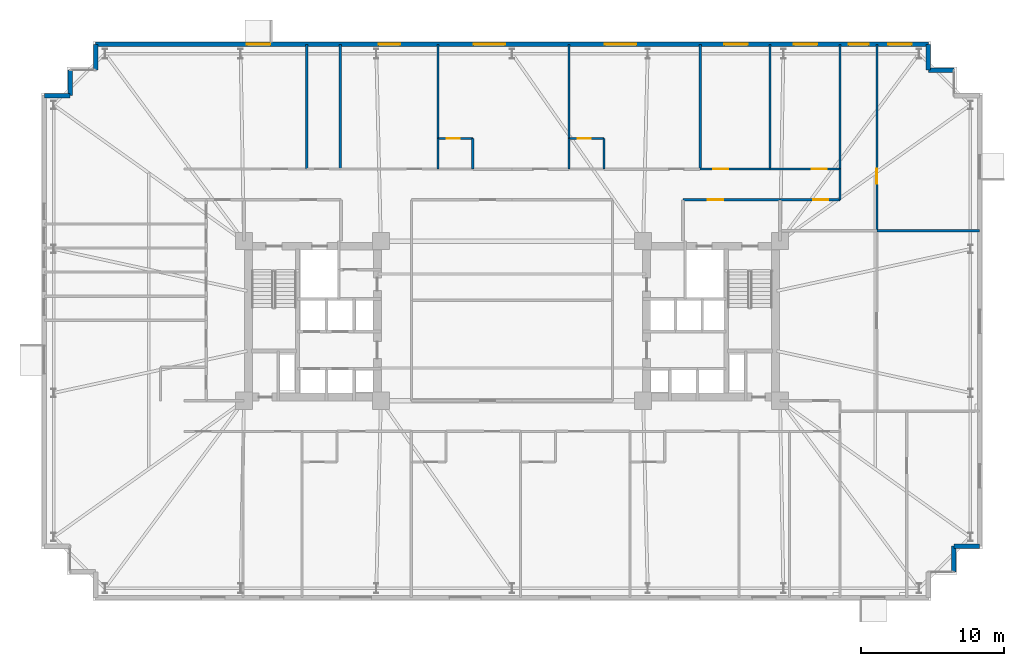
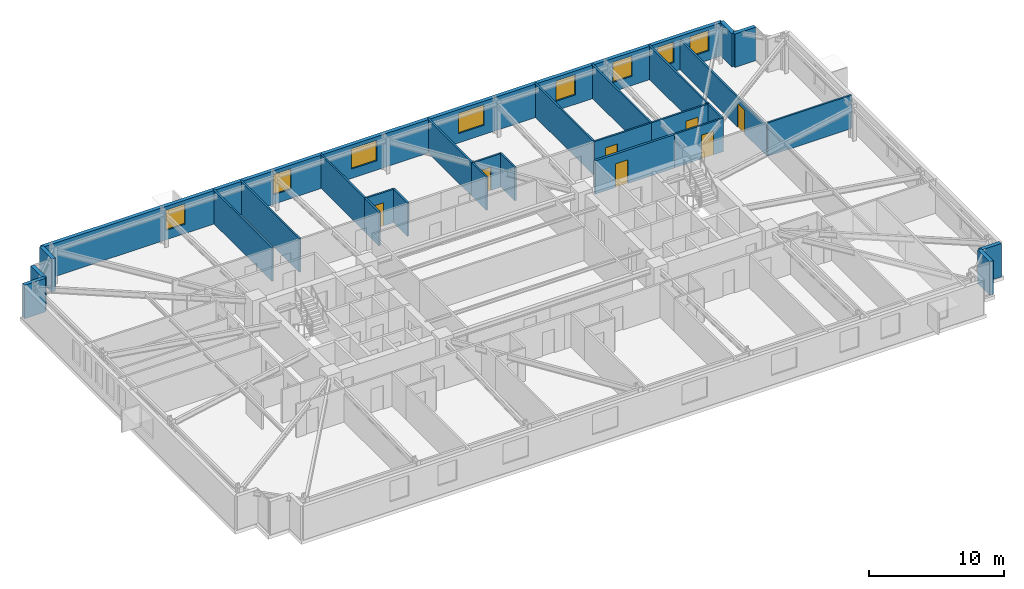
# One storey, part 18 of 21: 28 walls, 8 windows, 7 doors, 15 openings.
"""IFC4 building model written with IfcOpenShell, lengths in metres."""

from ifc_helpers import new_model, si_unit, direction, frame, frame_2d, origin, place, context, subcontext, project, spatial, rectangle, extrude, material, layer, layer_set, type_object, element, fill, save


model = new_model("IFC4")

# Units and contexts
model_context = context("Model", 3, precision=1e-05, world=origin(), true_north=direction((0.0, 1.0)))
body_context = subcontext(model_context, "Body", "Model", "MODEL_VIEW")
ifc_project = project(units=[si_unit("LENGTHUNIT", "METRE"), si_unit("AREAUNIT", "SQUARE_METRE"), si_unit("VOLUMEUNIT", "CUBIC_METRE"), si_unit("PLANEANGLEUNIT", "RADIAN"), si_unit("MASSUNIT", "GRAM", prefix="KILO")], contexts=[model_context])

# Site, building, storey
site_placement = place(None, origin())
site = spatial("IfcSite", under=ifc_project, at=site_placement, CompositionType="ELEMENT")
building_placement = place(site_placement, origin())
building = spatial("IfcBuilding", under=site, at=building_placement, Name="Qobustan Lattice House", CompositionType="ELEMENT")
storey_placement = place(building_placement, frame((0.0, 0.0, 40.39990234375)))
storey = spatial("IfcBuildingStorey", under=building, at=storey_placement, Name="L10", CompositionType="ELEMENT", Elevation=40.39990234375)

# Walls
ifc_material_1 = material(Name="Precast concrete C40/50", Category="concrete")
ifc_layer_1 = layer(ifc_material_1, 0.320068359375)
ifc_layer_set_1 = layer_set([ifc_layer_1], Name="Precast concrete C40/50")
wall_type_1 = type_object("IfcWallType", Name="WAL-EXT-STONE-320", PredefinedType="SOLIDWALL", material=ifc_layer_set_1)
for number, where, z_axis, x_axis, name in (
    (1, (-32.800048828125, 15.800048828125, 0.0), (0.0, 0.0, 1.0), (1.0, 0.0, 0.0), "L10 exterior limestone-clad wall 6"),
    (2, (-31.0, 15.800048828125, 0.0), (0.0, 0.0, 1.0), (0.0, 1.0, 0.0), "L10 exterior limestone-clad wall 7"),
):
    element("IfcWall", number, at=place(storey_placement, frame(where, z_axis=z_axis, x_axis=x_axis)), inside=storey, type_object=wall_type_1, Name=name, PredefinedType="SOLIDWALL", context=body_context, shape_type="SweptSolid", body=[
        extrude(rectangle(XDim=1.800048828125, YDim=0.320068359375, at=frame_2d((0.89990234375, 0.0))), origin(), (0.0, 0.0, 1.0), 3.03515625),
    ])
wall_1_placement = place(storey_placement, frame((-29.199951171875, 17.60009765625, 0.0), z_axis=(0.0, 0.0, 1.0), x_axis=(0.0, 1.0, 0.0)))
element("IfcWall", 3, at=wall_1_placement, inside=storey, type_object=wall_type_1, Name="L10 exterior limestone-clad wall 9", PredefinedType="SOLIDWALL", context=body_context, shape_type="SweptSolid", body=[
    extrude(rectangle(XDim=1.7998046875, YDim=0.320068359375, at=frame_2d((0.89990234375, 0.0))), origin(), (0.0, 0.0, 1.0), 3.03515625),
])

# Wall, openings, windows
wall_2_placement = place(storey_placement, frame((-29.199951171875, 19.39990234375, 0.0), z_axis=(0.0, 0.0, 1.0), x_axis=(1.0, 0.0, 0.0)))
wall_2 = element("IfcWall", 4, at=wall_2_placement, inside=storey, type_object=wall_type_1, Name="L10 exterior limestone-clad wall 10", PredefinedType="SOLIDWALL", context=body_context, shape_type="SweptSolid", body=[
    extrude(rectangle(XDim=58.39990234375, YDim=0.320068359375, at=frame_2d((29.199951171875, 0.0))), origin(), (0.0, 0.0, 1.0), 3.03515625),
])
opening_1_placement = place(wall_2_placement, frame((10.596435546875, 0.0, 0.85009765625)))
opening_1 = element("IfcOpeningElement", 5, at=opening_1_placement, cuts=wall_2, Name="Opening WN-09", PredefinedType="OPENING", context=body_context, shape_type="SweptSolid", body=[
    extrude(rectangle(XDim=1.64990234375, YDim=1.85009765625, at=frame_2d((0.824951171875, 0.925048828125))), frame((0.0, 0.169921875, 0.0), z_axis=(0.0, -1.0, 0.0), x_axis=(1.0, 0.0, 0.0)), (0.0, 0.0, 1.0), 0.340087890625),
])
opening_2_placement = place(wall_2_placement, frame((19.85009765625, 0.0, 0.85009765625)))
opening_2 = element("IfcOpeningElement", 6, at=opening_2_placement, cuts=wall_2, Name="Opening WN-01", PredefinedType="OPENING", context=body_context, shape_type="SweptSolid", body=[
    extrude(rectangle(XDim=1.5, YDim=1.85009765625, at=frame_2d((0.75, 0.925048828125))), frame((0.0, 0.169921875, 0.0), z_axis=(0.0, -1.0, 0.0), x_axis=(1.0, 0.0, 0.0)), (0.0, 0.0, 1.0), 0.340087890625),
])
opening_3_placement = place(wall_2_placement, frame((26.51611328125, 0.0, 0.85009765625)))
opening_3 = element("IfcOpeningElement", 7, at=opening_3_placement, cuts=wall_2, Name="Opening WN-03", PredefinedType="OPENING", context=body_context, shape_type="SweptSolid", body=[
    extrude(rectangle(XDim=2.199951171875, YDim=1.85009765625, at=frame_2d((1.10009765625, 0.925048828125))), frame((0.0, 0.169921875, 0.0), z_axis=(0.0, -1.0, 0.0), x_axis=(1.0, 0.0, 0.0)), (0.0, 0.0, 1.0), 0.340087890625),
])
opening_4_placement = place(wall_2_placement, frame((35.716064453125, 0.0, 0.85009765625)))
opening_4 = element("IfcOpeningElement", 8, at=opening_4_placement, cuts=wall_2, Name="Opening WN-03", PredefinedType="OPENING", context=body_context, shape_type="SweptSolid", body=[
    extrude(rectangle(XDim=2.199951171875, YDim=1.85009765625, at=frame_2d((1.10009765625, 0.925048828125))), frame((0.0, 0.169921875, 0.0), z_axis=(0.0, -1.0, 0.0), x_axis=(1.0, 0.0, 0.0)), (0.0, 0.0, 1.0), 0.340087890625),
])
opening_5_placement = place(wall_2_placement, frame((44.094970703125, 0.0, 0.85009765625)))
opening_5 = element("IfcOpeningElement", 9, at=opening_5_placement, cuts=wall_2, Name="Opening WN-09", PredefinedType="OPENING", context=body_context, shape_type="SweptSolid", body=[
    extrude(rectangle(XDim=1.64990234375, YDim=1.85009765625, at=frame_2d((0.824951171875, 0.925048828125))), frame((0.0, 0.169921875, 0.0), z_axis=(0.0, -1.0, 0.0), x_axis=(1.0, 0.0, 0.0)), (0.0, 0.0, 1.0), 0.340087890625),
])
opening_6_placement = place(wall_2_placement, frame((48.97509765625, 0.0, 0.85009765625)))
opening_6 = element("IfcOpeningElement", 10, at=opening_6_placement, cuts=wall_2, Name="Opening WN-09", PredefinedType="OPENING", context=body_context, shape_type="SweptSolid", body=[
    extrude(rectangle(XDim=1.64990234375, YDim=1.85009765625, at=frame_2d((0.824951171875, 0.925048828125))), frame((0.0, 0.169921875, 0.0), z_axis=(0.0, -1.0, 0.0), x_axis=(1.0, 0.0, 0.0)), (0.0, 0.0, 1.0), 0.340087890625),
])
opening_7_placement = place(wall_2_placement, frame((52.820068359375, 0.0, 0.85009765625)))
opening_7 = element("IfcOpeningElement", 11, at=opening_7_placement, cuts=wall_2, Name="Opening WN-12", PredefinedType="OPENING", context=body_context, shape_type="SweptSolid", body=[
    extrude(rectangle(XDim=1.39990234375, YDim=1.85009765625, at=frame_2d((0.699951171875, 0.925048828125))), frame((0.0, 0.169921875, 0.0), z_axis=(0.0, -1.0, 0.0), x_axis=(1.0, 0.0, 0.0)), (0.0, 0.0, 1.0), 0.340087890625),
])
opening_8_placement = place(wall_2_placement, frame((55.574951171875, 0.0, 0.85009765625)))
opening_8 = element("IfcOpeningElement", 12, at=opening_8_placement, cuts=wall_2, Name="Opening WN-09", PredefinedType="OPENING", context=body_context, shape_type="SweptSolid", body=[
    extrude(rectangle(XDim=1.64990234375, YDim=1.85009765625, at=frame_2d((0.824951171875, 0.925048828125))), frame((0.0, 0.169921875, 0.0), z_axis=(0.0, -1.0, 0.0), x_axis=(1.0, 0.0, 0.0)), (0.0, 0.0, 1.0), 0.340087890625),
])
ifc_material_2 = material(Name="Double-glazed low-E aluminium window", Category="aluminium")
window_type_1 = type_object("IfcWindowType", Name="WIN-BED-1400x1850", PartitioningType="SINGLE_PANEL", PredefinedType="WINDOW", material=ifc_material_2)
window_1_placement = place(opening_7_placement, origin())
window_1 = element("IfcWindow", 13, at=window_1_placement, inside=storey, type_object=window_type_1, Name="L10 Focus study room E3A window", OverallHeight=1.85009765625, OverallWidth=1.39990234375, PartitioningType="SINGLE_PANEL", PredefinedType="WINDOW", context=body_context, shape_type="SweptSolid", body=[
    extrude(rectangle(XDim=1.39990234375, YDim=1.85009765625, at=frame_2d((0.699951171875, 0.925048828125))), frame((0.0, 0.030029296875, 0.0), z_axis=(0.0, -1.0, 0.0), x_axis=(1.0, 0.0, 0.0)), (0.0, 0.0, 1.0), 0.06005859375),
])
fill(opening_7, window_1)
ifc_material_3 = material(Name="Double-glazed low-E aluminium window", Category="aluminium")
window_type_2 = type_object("IfcWindowType", Name="WIN-BED-1500x1850", PartitioningType="SINGLE_PANEL", PredefinedType="WINDOW", material=ifc_material_3)
window_2_placement = place(opening_2_placement, origin())
window_2 = element("IfcWindow", 14, at=window_2_placement, inside=storey, type_object=window_type_2, Name="L10 Laundry utility room window", OverallHeight=1.85009765625, OverallWidth=1.5, PartitioningType="SINGLE_PANEL", PredefinedType="WINDOW", context=body_context, shape_type="SweptSolid", body=[
    extrude(rectangle(XDim=1.5, YDim=1.85009765625, at=frame_2d((0.75, 0.925048828125))), frame((0.0, 0.030029296875, 0.0), z_axis=(0.0, -1.0, 0.0), x_axis=(1.0, 0.0, 0.0)), (0.0, 0.0, 1.0), 0.06005859375),
])
fill(opening_2, window_2)
ifc_material_4 = material(Name="Double-glazed low-E aluminium window", Category="aluminium")
window_type_3 = type_object("IfcWindowType", Name="WIN-STU-1650x1850", PartitioningType="SINGLE_PANEL", PredefinedType="WINDOW", material=ifc_material_4)
window_3_placement = place(opening_1_placement, origin())
window_3 = element("IfcWindow", 15, at=window_3_placement, inside=storey, type_object=window_type_3, Name="L10 Focus study room N1 window", OverallHeight=1.85009765625, OverallWidth=1.64990234375, PartitioningType="SINGLE_PANEL", PredefinedType="WINDOW", context=body_context, shape_type="SweptSolid", body=[
    extrude(rectangle(XDim=1.64990234375, YDim=1.85009765625, at=frame_2d((0.824951171875, 0.925048828125))), frame((0.0, 0.030029296875, 0.0), z_axis=(0.0, -1.0, 0.0), x_axis=(1.0, 0.0, 0.0)), (0.0, 0.0, 1.0), 0.06005859375),
])
fill(opening_1, window_3)
window_4_placement = place(opening_5_placement, origin())
window_4 = element("IfcWindow", 16, at=window_4_placement, inside=storey, type_object=window_type_3, Name="L10 Focus study room N5A window", OverallHeight=1.85009765625, OverallWidth=1.64990234375, PartitioningType="SINGLE_PANEL", PredefinedType="WINDOW", context=body_context, shape_type="SweptSolid", body=[
    extrude(rectangle(XDim=1.64990234375, YDim=1.85009765625, at=frame_2d((0.824951171875, 0.925048828125))), frame((0.0, 0.030029296875, 0.0), z_axis=(0.0, -1.0, 0.0), x_axis=(1.0, 0.0, 0.0)), (0.0, 0.0, 1.0), 0.06005859375),
])
fill(opening_5, window_4)
window_5_placement = place(opening_6_placement, origin())
window_5 = element("IfcWindow", 17, at=window_5_placement, inside=storey, type_object=window_type_3, Name="L10 Focus study room N5B window", OverallHeight=1.85009765625, OverallWidth=1.64990234375, PartitioningType="SINGLE_PANEL", PredefinedType="WINDOW", context=body_context, shape_type="SweptSolid", body=[
    extrude(rectangle(XDim=1.64990234375, YDim=1.85009765625, at=frame_2d((0.824951171875, 0.925048828125))), frame((0.0, 0.030029296875, 0.0), z_axis=(0.0, -1.0, 0.0), x_axis=(1.0, 0.0, 0.0)), (0.0, 0.0, 1.0), 0.06005859375),
])
fill(opening_6, window_5)
window_6_placement = place(opening_8_placement, origin())
window_6 = element("IfcWindow", 18, at=window_6_placement, inside=storey, type_object=window_type_3, Name="L10 Focus study room E3B window", OverallHeight=1.85009765625, OverallWidth=1.64990234375, PartitioningType="SINGLE_PANEL", PredefinedType="WINDOW", context=body_context, shape_type="SweptSolid", body=[
    extrude(rectangle(XDim=1.64990234375, YDim=1.85009765625, at=frame_2d((0.824951171875, 0.925048828125))), frame((0.0, 0.030029296875, 0.0), z_axis=(0.0, -1.0, 0.0), x_axis=(1.0, 0.0, 0.0)), (0.0, 0.0, 1.0), 0.06005859375),
])
fill(opening_8, window_6)
ifc_material_5 = material(Name="Double-glazed low-E aluminium window", Category="aluminium")
window_type_4 = type_object("IfcWindowType", Name="WIN-WIDE-2200x1850", PartitioningType="SINGLE_PANEL", PredefinedType="WINDOW", material=ifc_material_5)
window_7_placement = place(opening_3_placement, origin())
window_7 = element("IfcWindow", 19, at=window_7_placement, inside=storey, type_object=window_type_4, Name="L10 Kitchenette and studio apartment L10-N3 window", OverallHeight=1.85009765625, OverallWidth=2.199951171875, PartitioningType="SINGLE_PANEL", PredefinedType="WINDOW", context=body_context, shape_type="SweptSolid", body=[
    extrude(rectangle(XDim=2.199951171875, YDim=1.85009765625, at=frame_2d((1.10009765625, 0.925048828125))), frame((0.0, 0.030029296875, 0.0), z_axis=(0.0, -1.0, 0.0), x_axis=(1.0, 0.0, 0.0)), (0.0, 0.0, 1.0), 0.06005859375),
])
fill(opening_3, window_7)
window_8_placement = place(opening_4_placement, origin())
window_8 = element("IfcWindow", 20, at=window_8_placement, inside=storey, type_object=window_type_4, Name="L10 Kitchenette and studio apartment L10-N4 window", OverallHeight=1.85009765625, OverallWidth=2.199951171875, PartitioningType="SINGLE_PANEL", PredefinedType="WINDOW", context=body_context, shape_type="SweptSolid", body=[
    extrude(rectangle(XDim=2.199951171875, YDim=1.85009765625, at=frame_2d((1.10009765625, 0.925048828125))), frame((0.0, 0.030029296875, 0.0), z_axis=(0.0, -1.0, 0.0), x_axis=(1.0, 0.0, 0.0)), (0.0, 0.0, 1.0), 0.06005859375),
])
fill(opening_4, window_8)

# Walls
wall_3_placement = place(storey_placement, frame((29.199951171875, 19.39990234375, 0.0), z_axis=(0.0, 0.0, 1.0), x_axis=(0.0, -1.0, 0.0)))
element("IfcWall", 21, at=wall_3_placement, inside=storey, type_object=wall_type_1, Name="L10 exterior limestone-clad wall 11", PredefinedType="SOLIDWALL", context=body_context, shape_type="SweptSolid", body=[
    extrude(rectangle(XDim=1.7998046875, YDim=0.320068359375, at=frame_2d((0.89990234375, 0.0))), origin(), (0.0, 0.0, 1.0), 3.03515625),
])
for number, where, z_axis, x_axis, name in (
    (22, (29.199951171875, 17.60009765625, 0.0), (0.0, 0.0, 1.0), (1.0, 0.0, 0.0), "L10 exterior limestone-clad wall 12"),
    (23, (32.800048828125, -15.800048828125, 0.0), (0.0, 0.0, 1.0), (-1.0, 0.0, 0.0), "L10 exterior limestone-clad wall 16"),
    (24, (31.0, -15.800048828125, 0.0), (0.0, 0.0, 1.0), (0.0, -1.0, 0.0), "L10 exterior limestone-clad wall 17"),
):
    element("IfcWall", number, at=place(storey_placement, frame(where, z_axis=z_axis, x_axis=x_axis)), inside=storey, type_object=wall_type_1, Name=name, PredefinedType="SOLIDWALL", context=body_context, shape_type="SweptSolid", body=[
        extrude(rectangle(XDim=1.800048828125, YDim=0.320068359375, at=frame_2d((0.89990234375, 0.0))), origin(), (0.0, 0.0, 1.0), 3.03515625),
    ])

# Wall, opening, door
ifc_material_6 = material(Name="Acoustic twin-stud gypsum partition", Category="gypsum")
ifc_layer_2 = layer(ifc_material_6, 0.14990234375)
ifc_layer_set_2 = layer_set([ifc_layer_2], Name="Acoustic twin-stud gypsum partition")
wall_type_2 = type_object("IfcWallType", Name="WAL-PART-150", PredefinedType="PARTITIONING", material=ifc_layer_set_2)
wall_4_placement = place(storey_placement, frame((23.0, 8.5, 0.0), z_axis=(0.0, 0.0, 1.0), x_axis=(-1.0, 0.0, 0.0)))
wall_4 = element("IfcWall", 25, at=wall_4_placement, inside=storey, type_object=wall_type_2, Name="L10 interior partition 46", PredefinedType="PARTITIONING", context=body_context, shape_type="SweptSolid", body=[
    extrude(rectangle(XDim=4.199951171875, YDim=0.14990234375, at=frame_2d((2.10009765625, 0.0))), origin(), (0.0, 0.0, 1.0), 3.03515625),
])
opening_9_placement = place(wall_4_placement, frame((0.82861328125, 0.0, 0.0)))
opening_9 = element("IfcOpeningElement", 26, at=opening_9_placement, cuts=wall_4, Name="Opening ID-02", PredefinedType="OPENING", context=body_context, shape_type="SweptSolid", body=[
    extrude(rectangle(XDim=1.050048828125, YDim=2.14990234375, at=frame_2d((0.52490234375, 1.074951171875))), frame((0.0, 0.0849609375, 0.0), z_axis=(0.0, -1.0, 0.0), x_axis=(1.0, 0.0, 0.0)), (0.0, 0.0, 1.0), 0.169921875),
])
ifc_material_7 = material(Name="Persian walnut timber and steel frame door", Category="steel")
door_type_1 = type_object("IfcDoorType", Name="DOR-STUDY-1050x2150", OperationType="NOTDEFINED", PredefinedType="DOOR", material=ifc_material_7)
door_1_placement = place(opening_9_placement, origin())
door_1 = element("IfcDoor", 27, at=door_1_placement, inside=storey, type_object=door_type_1, Name="L10 North-east floor corridor to Focus study room E3A door", OperationType="SINGLE_SWING_LEFT", OverallHeight=2.14990234375, OverallWidth=1.050048828125, PredefinedType="DOOR", context=body_context, shape_type="SweptSolid", body=[
    extrude(rectangle(XDim=1.050048828125, YDim=2.14990234375, at=frame_2d((0.52490234375, 1.074951171875))), frame((0.0, 0.02490234375, 0.0), z_axis=(0.0, -1.0, 0.0), x_axis=(1.0, 0.0, 0.0)), (0.0, 0.0, 1.0), 0.050048828125),
])
fill(opening_9, door_1)

# Wall
wall_5_placement = place(storey_placement, frame((23.0, 10.64990234375, 0.0), z_axis=(0.0, 0.0, 1.0), x_axis=(0.0, -1.0, 0.0)))
element("IfcWall", 28, at=wall_5_placement, inside=storey, type_object=wall_type_2, Name="L10 interior partition 47", PredefinedType="PARTITIONING", context=body_context, shape_type="SweptSolid", body=[
    extrude(rectangle(XDim=2.14990234375, YDim=0.14990234375, at=frame_2d((1.074951171875, 0.0))), origin(), (0.0, 0.0, 1.0), 3.03515625),
])

# Wall, opening, door
wall_6_placement = place(storey_placement, frame((13.199951171875, 10.64990234375, 0.0), z_axis=(0.0, 0.0, 1.0), x_axis=(1.0, 0.0, 0.0)))
wall_6 = element("IfcWall", 29, at=wall_6_placement, inside=storey, type_object=wall_type_2, Name="L10 interior partition 51", PredefinedType="PARTITIONING", context=body_context, shape_type="SweptSolid", body=[
    extrude(rectangle(XDim=4.900146484375, YDim=0.14990234375, at=frame_2d((2.4501953125, 0.0))), origin(), (0.0, 0.0, 1.0), 3.03515625),
])
opening_10_placement = place(wall_6_placement, frame((0.916259765625, 0.0, 0.0)))
opening_10 = element("IfcOpeningElement", 30, at=opening_10_placement, cuts=wall_6, Name="Opening ID-02", PredefinedType="OPENING", context=body_context, shape_type="SweptSolid", body=[
    extrude(rectangle(XDim=1.050048828125, YDim=2.14990234375, at=frame_2d((0.52490234375, 1.074951171875))), frame((0.0, 0.0849609375, 0.0), z_axis=(0.0, -1.0, 0.0), x_axis=(1.0, 0.0, 0.0)), (0.0, 0.0, 1.0), 0.169921875),
])
door_2_placement = place(opening_10_placement, origin())
door_2 = element("IfcDoor", 31, at=door_2_placement, inside=storey, type_object=door_type_1, Name="L10 North-east floor corridor to Focus study room N5A door", OperationType="SINGLE_SWING_RIGHT", OverallHeight=2.14990234375, OverallWidth=1.050048828125, PredefinedType="DOOR", context=body_context, shape_type="SweptSolid", body=[
    extrude(rectangle(XDim=1.050048828125, YDim=2.14990234375, at=frame_2d((0.52490234375, 1.074951171875))), frame((0.0, 0.02490234375, 0.0), z_axis=(0.0, -1.0, 0.0), x_axis=(1.0, 0.0, 0.0)), (0.0, 0.0, 1.0), 0.050048828125),
])
fill(opening_10, door_2)

wall_7_placement = place(storey_placement, frame((18.10009765625, 10.64990234375, 0.0), z_axis=(0.0, 0.0, 1.0), x_axis=(1.0, 0.0, 0.0)))
wall_7 = element("IfcWall", 32, at=wall_7_placement, inside=storey, type_object=wall_type_2, Name="L10 interior partition 52", PredefinedType="PARTITIONING", context=body_context, shape_type="SweptSolid", body=[
    extrude(rectangle(XDim=4.89990234375, YDim=0.14990234375, at=frame_2d((2.449951171875, 0.0))), origin(), (0.0, 0.0, 1.0), 3.03515625),
])
opening_11_placement = place(wall_7_placement, frame((2.93359375, 0.0, 0.0)))
opening_11 = element("IfcOpeningElement", 33, at=opening_11_placement, cuts=wall_7, Name="Opening ID-02", PredefinedType="OPENING", context=body_context, shape_type="SweptSolid", body=[
    extrude(rectangle(XDim=1.050048828125, YDim=2.14990234375, at=frame_2d((0.52490234375, 1.074951171875))), frame((0.0, 0.0849609375, 0.0), z_axis=(0.0, -1.0, 0.0), x_axis=(1.0, 0.0, 0.0)), (0.0, 0.0, 1.0), 0.169921875),
])
door_3_placement = place(opening_11_placement, origin())
door_3 = element("IfcDoor", 34, at=door_3_placement, inside=storey, type_object=door_type_1, Name="L10 North-east floor corridor to Focus study room N5B door", OperationType="SINGLE_SWING_LEFT", OverallHeight=2.14990234375, OverallWidth=1.050048828125, PredefinedType="DOOR", context=body_context, shape_type="SweptSolid", body=[
    extrude(rectangle(XDim=1.050048828125, YDim=2.14990234375, at=frame_2d((0.52490234375, 1.074951171875))), frame((0.0, 0.02490234375, 0.0), z_axis=(0.0, -1.0, 0.0), x_axis=(1.0, 0.0, 0.0)), (0.0, 0.0, 1.0), 0.050048828125),
])
fill(opening_11, door_3)

# Wall
wall_8_placement = place(storey_placement, frame((25.590087890625, 6.326904296875, 0.0), z_axis=(0.0, 0.0, 1.0), x_axis=(1.0, 0.0, 0.0)))
element("IfcWall", 35, at=wall_8_placement, inside=storey, type_object=wall_type_2, Name="L10 interior partition 99", PredefinedType="PARTITIONING", context=body_context, shape_type="SweptSolid", body=[
    extrude(rectangle(XDim=7.2099609375, YDim=0.14990234375, at=frame_2d((3.60498046875, 0.0))), origin(), (0.0, 0.0, 1.0), 3.03515625),
])

# Wall, opening, door
wall_9_placement = place(storey_placement, frame((25.590087890625, 19.39990234375, 0.0), z_axis=(0.0, 0.0, 1.0), x_axis=(0.0, -1.0, 0.0)))
wall_9 = element("IfcWall", 36, at=wall_9_placement, inside=storey, type_object=wall_type_2, Name="L10 interior partition 100", PredefinedType="PARTITIONING", context=body_context, shape_type="SweptSolid", body=[
    extrude(rectangle(XDim=13.072998046875, YDim=0.14990234375, at=frame_2d((6.53662109375, 0.0))), origin(), (0.0, 0.0, 1.0), 2.690185546875),
])
opening_12_placement = place(wall_9_placement, frame((8.727294921875, 0.0, 0.0)))
opening_12 = element("IfcOpeningElement", 37, at=opening_12_placement, cuts=wall_9, Name="Opening ID-02", PredefinedType="OPENING", context=body_context, shape_type="SweptSolid", body=[
    extrude(rectangle(XDim=1.050048828125, YDim=2.14990234375, at=frame_2d((0.52490234375, 1.074951171875))), frame((0.0, 0.0849609375, 0.0), z_axis=(0.0, -1.0, 0.0), x_axis=(1.0, 0.0, 0.0)), (0.0, 0.0, 1.0), 0.169921875),
])
door_4_placement = place(opening_12_placement, origin())
door_4 = element("IfcDoor", 38, at=door_4_placement, inside=storey, type_object=door_type_1, Name="L10 Focus study room E3A to Focus study room E3B door", OperationType="SINGLE_SWING_RIGHT", OverallHeight=2.14990234375, OverallWidth=1.050048828125, PredefinedType="DOOR", context=body_context, shape_type="SweptSolid", body=[
    extrude(rectangle(XDim=1.050048828125, YDim=2.14990234375, at=frame_2d((0.52490234375, 1.074951171875))), frame((0.0, 0.02490234375, 0.0), z_axis=(0.0, -1.0, 0.0), x_axis=(1.0, 0.0, 0.0)), (0.0, 0.0, 1.0), 0.050048828125),
])
fill(opening_12, door_4)

# Walls
wall_10_placement = place(storey_placement, frame((23.0, 10.64990234375, 0.0), z_axis=(0.0, 0.0, 1.0), x_axis=(0.0, 1.0, 0.0)))
element("IfcWall", 39, at=wall_10_placement, inside=storey, type_object=wall_type_2, Name="L10 interior partition 101", PredefinedType="PARTITIONING", context=body_context, shape_type="SweptSolid", body=[
    extrude(rectangle(XDim=8.75, YDim=0.14990234375, at=frame_2d((4.375, 0.0))), origin(), (0.0, 0.0, 1.0), 3.03515625),
])
for number, where, z_axis, x_axis, name in (
    (40, (-5.199951171875, 19.39990234375, 0.0), (0.0, 0.0, 1.0), (0.0, -1.0, 0.0), "L10 interior partition 104"),
    (41, (4.0, 19.39990234375, 0.0), (0.0, 0.0, 1.0), (0.0, -1.0, 0.0), "L10 interior partition 108"),
):
    element("IfcWall", number, at=place(storey_placement, frame(where, z_axis=z_axis, x_axis=x_axis)), inside=storey, type_object=wall_type_2, Name=name, PredefinedType="PARTITIONING", context=body_context, shape_type="SweptSolid", body=[
        extrude(rectangle(XDim=6.599853515625, YDim=0.14990234375, at=frame_2d((3.2998046875, 0.0))), origin(), (0.0, 0.0, 1.0), 3.03515625),
    ])
for number, where, z_axis, x_axis, name in (
    (42, (13.199951171875, 19.39990234375, 0.0), (0.0, 0.0, 1.0), (0.0, -1.0, 0.0), "L10 interior partition 112"),
    (43, (18.10009765625, 19.39990234375, 0.0), (0.0, 0.0, 1.0), (0.0, -1.0, 0.0), "L10 interior partition 113"),
):
    element("IfcWall", number, at=place(storey_placement, frame(where, z_axis=z_axis, x_axis=x_axis)), inside=storey, type_object=wall_type_2, Name=name, PredefinedType="PARTITIONING", context=body_context, shape_type="SweptSolid", body=[
        extrude(rectangle(XDim=8.75, YDim=0.14990234375, at=frame_2d((4.375, 0.0))), origin(), (0.0, 0.0, 1.0), 3.03515625),
    ])

# Wall, opening, door
ifc_material_8 = material(Name="Two-hour gypsum fireboard acoustic partition", Category="gypsum")
ifc_layer_3 = layer(ifc_material_8, 0.199951171875)
ifc_layer_set_3 = layer_set([ifc_layer_3], Name="Two-hour gypsum fireboard acoustic partition")
wall_type_3 = type_object("IfcWallType", Name="WAL-PROT-200", PredefinedType="PARTITIONING", material=ifc_layer_set_3)
wall_11_placement = place(storey_placement, frame((18.800048828125, 8.5, 0.0), z_axis=(0.0, 0.0, 1.0), x_axis=(-1.0, 0.0, 0.0)))
wall_11 = element("IfcWall", 44, at=wall_11_placement, inside=storey, type_object=wall_type_3, Name="L10 interior partition 22", PredefinedType="PARTITIONING", context=body_context, shape_type="SweptSolid", body=[
    extrude(rectangle(XDim=6.800048828125, YDim=0.199951171875, at=frame_2d((3.39990234375, 0.0))), origin(), (0.0, 0.0, 1.0), 3.03515625),
])
opening_13_placement = place(wall_11_placement, frame((3.985107421875, 0.0, 0.0)))
opening_13 = element("IfcOpeningElement", 45, at=opening_13_placement, cuts=wall_11, Name="Opening SD-01", PredefinedType="OPENING", context=body_context, shape_type="SweptSolid", body=[
    extrude(rectangle(XDim=1.10009765625, YDim=2.14990234375, at=frame_2d((0.550048828125, 1.074951171875))), frame((0.0, 0.10986328125, 0.0), z_axis=(0.0, -1.0, 0.0), x_axis=(1.0, 0.0, 0.0)), (0.0, 0.0, 1.0), 0.219970703125),
])
ifc_material_9 = material(Name="Persian walnut timber and steel frame door", Category="steel")
door_type_2 = type_object("IfcDoorType", Name="DOR-STAIR-FD-1100x2150", OperationType="NOTDEFINED", PredefinedType="DOOR", material=ifc_material_9)
door_5_placement = place(opening_13_placement, origin())
door_5 = element("IfcDoor", 46, at=door_5_placement, inside=storey, type_object=door_type_2, Name="L10 East firefighting lift lobby to North-east floor corridor door", OperationType="SINGLE_SWING_LEFT", OverallHeight=2.14990234375, OverallWidth=1.10009765625, PredefinedType="DOOR", context=body_context, shape_type="SweptSolid", body=[
    extrude(rectangle(XDim=1.10009765625, YDim=2.14990234375, at=frame_2d((0.550048828125, 1.074951171875))), frame((0.0, 0.02490234375, 0.0), z_axis=(0.0, -1.0, 0.0), x_axis=(1.0, 0.0, 0.0)), (0.0, 0.0, 1.0), 0.050048828125),
])
fill(opening_13, door_5)

# Walls
ifc_material_10 = material(Name="Moisture-resistant acoustic plumbing wall", Category="gypsum")
ifc_layer_4 = layer(ifc_material_10, 0.14990234375)
ifc_layer_set_4 = layer_set([ifc_layer_4], Name="Moisture-resistant acoustic plumbing wall")
wall_type_4 = type_object("IfcWallType", Name="WAL-WET-150", PredefinedType="PLUMBINGWALL", material=ifc_layer_set_4)
for number, where, z_axis, x_axis, name in (
    (47, (-14.39990234375, 19.39990234375, 0.0), (0.0, 0.0, 1.0), (0.0, -1.0, 0.0), "L10 interior partition 102"),
    (48, (-12.050048828125, 19.39990234375, 0.0), (0.0, 0.0, 1.0), (0.0, -1.0, 0.0), "L10 interior partition 103"),
):
    element("IfcWall", number, at=place(storey_placement, frame(where, z_axis=z_axis, x_axis=x_axis)), inside=storey, type_object=wall_type_4, Name=name, PredefinedType="PLUMBINGWALL", context=body_context, shape_type="SweptSolid", body=[
        extrude(rectangle(XDim=8.75, YDim=0.14990234375, at=frame_2d((4.375, 0.0))), origin(), (0.0, 0.0, 1.0), 3.03515625),
    ])
wall_12_placement = place(storey_placement, frame((-5.199951171875, 12.800048828125, 0.0), z_axis=(0.0, 0.0, 1.0), x_axis=(0.0, -1.0, 0.0)))
element("IfcWall", 49, at=wall_12_placement, inside=storey, type_object=wall_type_4, Name="L10 interior partition 105", PredefinedType="PLUMBINGWALL", context=body_context, shape_type="SweptSolid", body=[
    extrude(rectangle(XDim=2.150146484375, YDim=0.14990234375, at=frame_2d((1.0751953125, 0.0))), origin(), (0.0, 0.0, 1.0), 3.03515625),
])

# Wall, opening, door
wall_13_placement = place(storey_placement, frame((-2.75, 12.800048828125, 0.0), z_axis=(0.0, 0.0, 1.0), x_axis=(-1.0, 0.0, 0.0)))
wall_13 = element("IfcWall", 50, at=wall_13_placement, inside=storey, type_object=wall_type_4, Name="L10 interior partition 106", PredefinedType="PLUMBINGWALL", context=body_context, shape_type="SweptSolid", body=[
    extrude(rectangle(XDim=2.449951171875, YDim=0.14990234375, at=frame_2d((1.22509765625, 0.0))), origin(), (0.0, 0.0, 1.0), 3.03515625),
])
opening_14_placement = place(wall_13_placement, frame((0.92138671875, 0.0, 0.0)))
opening_14 = element("IfcOpeningElement", 51, at=opening_14_placement, cuts=wall_13, Name="Opening WD-01", PredefinedType="OPENING", context=body_context, shape_type="SweptSolid", body=[
    extrude(rectangle(XDim=0.89990234375, YDim=2.10009765625, at=frame_2d((0.449951171875, 1.050048828125))), frame((0.0, 0.0849609375, 0.0), z_axis=(0.0, -1.0, 0.0), x_axis=(1.0, 0.0, 0.0)), (0.0, 0.0, 1.0), 0.169921875),
])
ifc_material_11 = material(Name="Persian walnut timber and steel frame door", Category="steel")
door_type_3 = type_object("IfcDoorType", Name="DOR-WET-900x2100", OperationType="NOTDEFINED", PredefinedType="DOOR", material=ifc_material_11)
door_6_placement = place(opening_14_placement, origin())
door_6 = element("IfcDoor", 52, at=door_6_placement, inside=storey, type_object=door_type_3, Name="L10 Kitchenette and studio apartment L10-N3 to En-suite bathroom L10-N3 door", OperationType="SINGLE_SWING_LEFT", OverallHeight=2.10009765625, OverallWidth=0.89990234375, PredefinedType="DOOR", context=body_context, shape_type="SweptSolid", body=[
    extrude(rectangle(XDim=0.89990234375, YDim=2.10009765625, at=frame_2d((0.449951171875, 1.050048828125))), frame((0.0, 0.02490234375, 0.0), z_axis=(0.0, -1.0, 0.0), x_axis=(1.0, 0.0, 0.0)), (0.0, 0.0, 1.0), 0.050048828125),
])
fill(opening_14, door_6)

# Walls
for number, where, z_axis, x_axis, name in (
    (53, (-2.75, 10.64990234375, 0.0), (0.0, 0.0, 1.0), (0.0, 1.0, 0.0), "L10 interior partition 107"),
    (54, (4.0, 12.800048828125, 0.0), (0.0, 0.0, 1.0), (0.0, -1.0, 0.0), "L10 interior partition 109"),
):
    element("IfcWall", number, at=place(storey_placement, frame(where, z_axis=z_axis, x_axis=x_axis)), inside=storey, type_object=wall_type_4, Name=name, PredefinedType="PLUMBINGWALL", context=body_context, shape_type="SweptSolid", body=[
        extrude(rectangle(XDim=2.150146484375, YDim=0.14990234375, at=frame_2d((1.0751953125, 0.0))), origin(), (0.0, 0.0, 1.0), 3.03515625),
    ])

# Wall, opening, door
wall_14_placement = place(storey_placement, frame((6.449951171875, 12.800048828125, 0.0), z_axis=(0.0, 0.0, 1.0), x_axis=(-1.0, 0.0, 0.0)))
wall_14 = element("IfcWall", 55, at=wall_14_placement, inside=storey, type_object=wall_type_4, Name="L10 interior partition 110", PredefinedType="PLUMBINGWALL", context=body_context, shape_type="SweptSolid", body=[
    extrude(rectangle(XDim=2.449951171875, YDim=0.14990234375, at=frame_2d((1.22509765625, 0.0))), origin(), (0.0, 0.0, 1.0), 3.03515625),
])
opening_15_placement = place(wall_14_placement, frame((0.92138671875, 0.0, 0.0)))
opening_15 = element("IfcOpeningElement", 56, at=opening_15_placement, cuts=wall_14, Name="Opening WD-01", PredefinedType="OPENING", context=body_context, shape_type="SweptSolid", body=[
    extrude(rectangle(XDim=0.89990234375, YDim=2.10009765625, at=frame_2d((0.449951171875, 1.050048828125))), frame((0.0, 0.0849609375, 0.0), z_axis=(0.0, -1.0, 0.0), x_axis=(1.0, 0.0, 0.0)), (0.0, 0.0, 1.0), 0.169921875),
])
door_7_placement = place(opening_15_placement, origin())
door_7 = element("IfcDoor", 57, at=door_7_placement, inside=storey, type_object=door_type_3, Name="L10 Kitchenette and studio apartment L10-N4 to En-suite bathroom L10-N4 door", OperationType="SINGLE_SWING_RIGHT", OverallHeight=2.10009765625, OverallWidth=0.89990234375, PredefinedType="DOOR", context=body_context, shape_type="SweptSolid", body=[
    extrude(rectangle(XDim=0.89990234375, YDim=2.10009765625, at=frame_2d((0.449951171875, 1.050048828125))), frame((0.0, 0.02490234375, 0.0), z_axis=(0.0, -1.0, 0.0), x_axis=(1.0, 0.0, 0.0)), (0.0, 0.0, 1.0), 0.050048828125),
])
fill(opening_15, door_7)

# Wall
wall_15_placement = place(storey_placement, frame((6.449951171875, 10.64990234375, 0.0), z_axis=(0.0, 0.0, 1.0), x_axis=(0.0, 1.0, 0.0)))
element("IfcWall", 58, at=wall_15_placement, inside=storey, type_object=wall_type_4, Name="L10 interior partition 111", PredefinedType="PLUMBINGWALL", context=body_context, shape_type="SweptSolid", body=[
    extrude(rectangle(XDim=2.150146484375, YDim=0.14990234375, at=frame_2d((1.0751953125, 0.0))), origin(), (0.0, 0.0, 1.0), 3.03515625),
])

save(model, "model.ifc")
